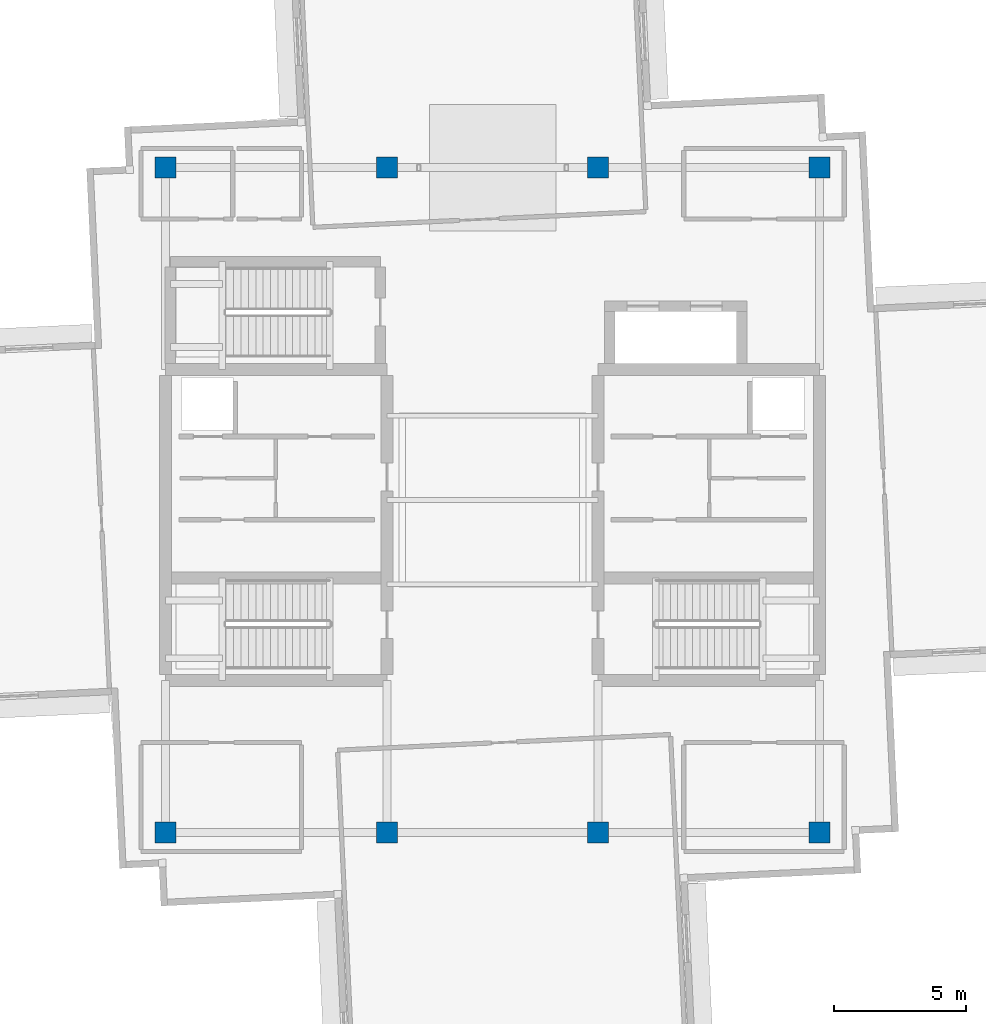
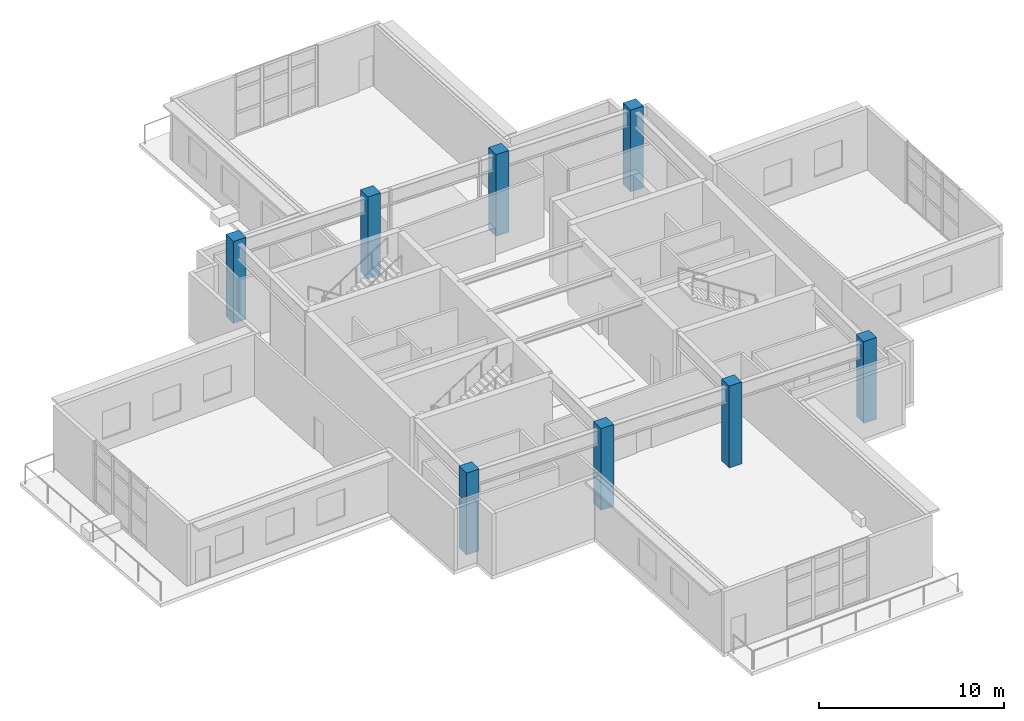
# One storey, part 1 of 22: 8 columns.
"""IFC4 building model written with IfcOpenShell, lengths in metres."""

from ifc_helpers import new_model, si_unit, direction, frame, origin, origin_2d, place, context, subcontext, project, spatial, rectangle, extrude, material, material_profile, profile_set, type_object, element, save


model = new_model("IFC4")

# Units and contexts
model_context = context("Model", 3, precision=1e-05, world=origin(), true_north=direction((0.0, 1.0)))
body_context = subcontext(model_context, "Body", "Model", "MODEL_VIEW")
ifc_project = project(units=[si_unit("LENGTHUNIT", "METRE"), si_unit("AREAUNIT", "SQUARE_METRE"), si_unit("VOLUMEUNIT", "CUBIC_METRE"), si_unit("PLANEANGLEUNIT", "RADIAN"), si_unit("MASSUNIT", "GRAM", prefix="KILO")], contexts=[model_context])

# Site, building, storey
site_placement = place(None, origin())
site = spatial("IfcSite", under=ifc_project, at=site_placement, CompositionType="ELEMENT")
building_placement = place(site_placement, origin())
building = spatial("IfcBuilding", under=site, at=building_placement, Name="Qingluan Cross Belvedere", CompositionType="ELEMENT")
storey_placement = place(building_placement, frame((0.0, 0.0, 294.0)))
storey = spatial("IfcBuildingStorey", under=building, at=storey_placement, Name="L73", CompositionType="ELEMENT", Elevation=294.0)

# Columns
ifc_material = material(Name="Concrete C50", Category="concrete")
ifc_material_profile = material_profile(ifc_material, rectangle(XDim=0.800048828125, YDim=0.800048828125, at=origin_2d()), Name="RC800x800")
ifc_profile_set = profile_set([ifc_material_profile], Name="Concrete C50")
column_type = type_object("IfcColumnType", Name="Column_RC800x800", PredefinedType="COLUMN", material=ifc_profile_set)
for number, where, z_axis, x_axis, name in (
    (1, (-12.39990234375, -12.60009765625, 0.0), (0.0, 0.0, 1.0), (1.0, 0.0, 0.0), "Hub column L73-HC1"),
    (2, (12.39990234375, -12.60009765625, 0.0), (0.0, 0.0, 1.0), (1.0, 0.0, 0.0), "Hub column L73-HC2"),
    (3, (12.39990234375, 12.60009765625, 0.0), (0.0, 0.0, 1.0), (1.0, 0.0, 0.0), "Hub column L73-HC3"),
    (4, (-12.39990234375, 12.60009765625, 0.0), (0.0, 0.0, 1.0), (1.0, 0.0, 0.0), "Hub column L73-HC4"),
    (5, (-4.0, -12.60009765625, 0.0), (0.0, 0.0, 1.0), (1.0, 0.0, 0.0), "Hub column L73-HC5"),
    (6, (4.0, -12.60009765625, 0.0), (0.0, 0.0, 1.0), (1.0, 0.0, 0.0), "Hub column L73-HC6"),
    (7, (4.0, 12.60009765625, 0.0), (0.0, 0.0, 1.0), (1.0, 0.0, 0.0), "Hub column L73-HC7"),
    (8, (-4.0, 12.60009765625, 0.0), (0.0, 0.0, 1.0), (1.0, 0.0, 0.0), "Hub column L73-HC8"),
):
    element("IfcColumn", number, at=place(storey_placement, frame(where, z_axis=z_axis, x_axis=x_axis)), inside=storey, type_object=column_type, Name=name, PredefinedType="COLUMN", context=body_context, shape_type="SweptSolid", body=[
        extrude(rectangle(XDim=0.800048828125, YDim=0.800048828125, at=origin_2d()), origin(), (0.0, 0.0, 1.0), 5.39990234375),
    ])

save(model, "model.ifc")
